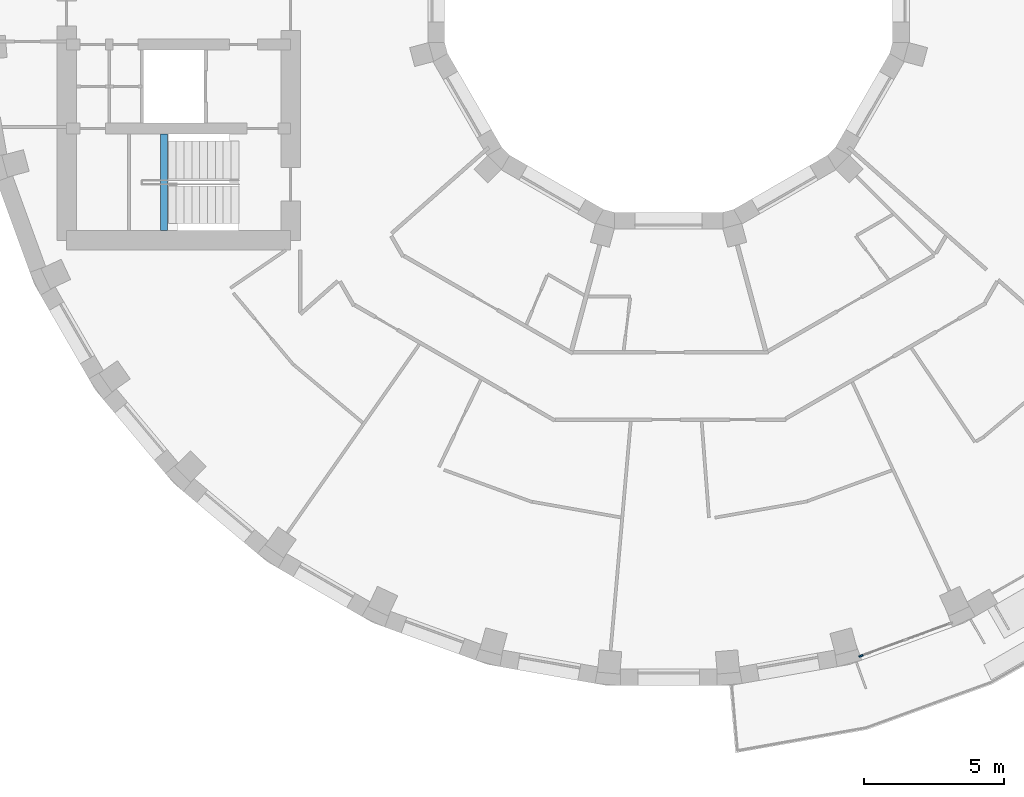
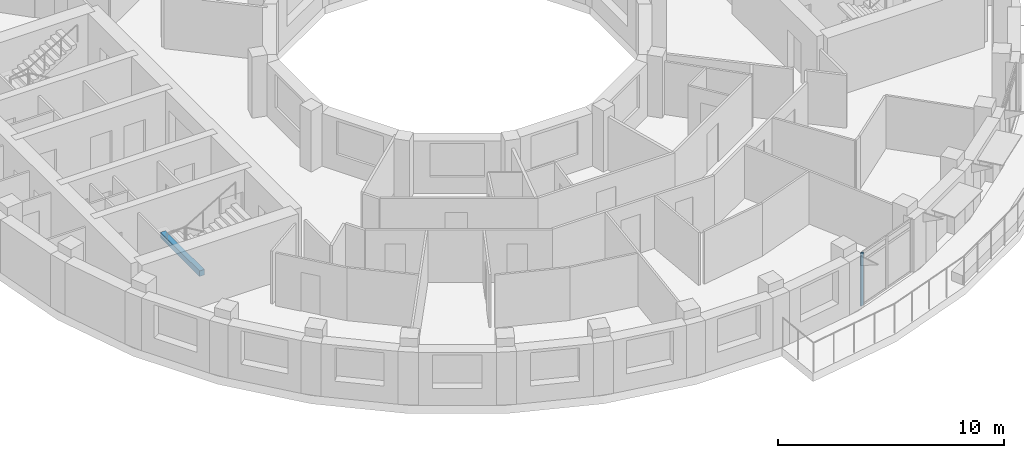
# One storey, part 2 of 15: 1 beam, 1 member, 1 element without a shape of its own.
"""IFC4 building model written with IfcOpenShell, lengths in metres."""

import ifcopenshell
import ifcopenshell.guid

model = None  # the IFC model being written
_history = None  # IfcOwnerHistory: only IFC2X3 demands one
_inside = {}  # id of a spatial element -> (the spatial element, [elements in it])
_under = {}  # id of a project, library or spatial element -> (it, [spatial elements below it])
_declared = {}  # id of a project -> (the project, [libraries it declares])
_typed = {}  # id of a type object -> (the type object, [elements of that type])
_made_of = {}  # id of a material, layer set ... -> (it, [elements and type objects made of it])


def new_model(schema):
    """Start an empty IFC model of exactly this schema.

    Asked for "IFC4X3", IfcOpenShell would pick the latest addendum, in which some entities
    have other attributes; the version numbers below select the first issue.
    IFC2X3 requires an IfcOwnerHistory on every rooted entity: one is made here for all.
    """
    global model, _history
    if schema == "IFC4X3":
        model = ifcopenshell.file(schema_version=(4, 3, 0, 0))
    else:
        model = ifcopenshell.file(schema=schema)
    _inside.clear()
    _under.clear()
    _declared.clear()
    _typed.clear()
    _made_of.clear()
    _history = None
    if model.schema == "IFC2X3":
        org = make("IfcOrganization", Name="unknown")
        user = make(
            "IfcPersonAndOrganization",
            ThePerson=make("IfcPerson", FamilyName="unknown"),
            TheOrganization=org,
        )
        app = make(
            "IfcApplication",
            ApplicationDeveloper=org,
            Version="unknown",
            ApplicationFullName="unknown",
            ApplicationIdentifier="unknown",
        )
        _history = make(
            "IfcOwnerHistory",
            OwningUser=user,
            OwningApplication=app,
            ChangeAction="ADDED",
            CreationDate=0,
        )
    return model


def make(cls, **values):
    """One entity of the class cls with the attributes given. An attribute that is None is left unset."""
    return model.create_entity(
        cls, **{name: value for name, value in values.items() if value is not None}
    )


def rooted(cls, **values):
    """An entity with a GlobalId (a new one), such as an element, a storey or a relation."""
    return make(cls, GlobalId=ifcopenshell.guid.new(), OwnerHistory=_history, **values)


def si_unit(unit_type, name, prefix=None):
    """IfcSIUnit, for example si_unit("LENGTHUNIT", "METRE", prefix="MILLI")."""
    return make("IfcSIUnit", UnitType=unit_type, Prefix=prefix, Name=name)


def assignment(units):
    """IfcUnitAssignment: the units of a project."""
    return None if units is None else make("IfcUnitAssignment", Units=units)


def point(xyz):
    """IfcCartesianPoint."""
    return None if xyz is None else make("IfcCartesianPoint", Coordinates=xyz)


def direction(xyz):
    """IfcDirection."""
    return None if xyz is None else make("IfcDirection", DirectionRatios=xyz)


def frame(location, z_axis=None, x_axis=None):
    """IfcAxis2Placement3D, a coordinate frame: its origin and axes. An axis left out is left unset."""
    return make(
        "IfcAxis2Placement3D",
        Location=point(location),
        Axis=direction(z_axis),
        RefDirection=direction(x_axis),
    )


def frame_2d(location, x_axis=None):
    """IfcAxis2Placement2D, a coordinate frame in the plane: its origin and x axis."""
    return make(
        "IfcAxis2Placement2D", Location=point(location), RefDirection=direction(x_axis)
    )


def origin():
    """The frame at (0, 0, 0) with its axes left unset."""
    return frame((0.0, 0.0, 0.0))


def origin_2d():
    """The frame at (0, 0) in the plane with its x axis left unset."""
    return frame_2d((0.0, 0.0))


def place(relative_to, where):
    """IfcLocalPlacement: puts the frame where relative to a parent placement (None: the world)."""
    return make(
        "IfcLocalPlacement", PlacementRelTo=relative_to, RelativePlacement=where
    )


def context(
    kind, dimensions, precision=None, world=None, true_north=None, identifier=None
):
    """IfcGeometricRepresentationContext, for example the 3D "Model" context."""
    return make(
        "IfcGeometricRepresentationContext",
        ContextIdentifier=identifier,
        ContextType=kind,
        CoordinateSpaceDimension=dimensions,
        Precision=precision,
        WorldCoordinateSystem=world,
        TrueNorth=true_north,
    )


def subcontext(parent, identifier, kind, view, scale=None):
    """IfcGeometricRepresentationSubContext, for example "Body" below "Model"."""
    return make(
        "IfcGeometricRepresentationSubContext",
        ContextIdentifier=identifier,
        ContextType=kind,
        ParentContext=parent,
        TargetScale=scale,
        TargetView=view,
    )


def project(units=None, contexts=None):
    """IfcProject with its units and contexts."""
    return rooted(
        "IfcProject",
        Name="project",
        RepresentationContexts=contexts,
        UnitsInContext=assignment(units),
    )


def spatial(cls, under=None, at=None, **own):
    """A site, building, storey or space (cls), placed at a placement, below another one or the project."""
    s = rooted(cls, ObjectPlacement=at, **own)
    if under is not None:
        _under.setdefault(under.id(), (under, []))[1].append(s)
    return s


def profile(cls, at=None, kind="AREA", **sizes):
    """A parametric profile (cls). Its sizes go by their IFC names, for example OverallWidth=200.0."""
    return make(cls, ProfileType=kind, Position=at, **sizes)


def rectangle(**sizes):
    """IfcRectangleProfileDef."""
    return profile("IfcRectangleProfileDef", **sizes)


def extrude(swept, where, along, depth):
    """IfcExtrudedAreaSolid: the profile swept, set in the frame where, extruded along a direction by depth."""
    return make(
        "IfcExtrudedAreaSolid",
        SweptArea=swept,
        Position=where,
        ExtrudedDirection=direction(along),
        Depth=depth,
    )


def shape(context_of_items, identifier, shape_type, items):
    """IfcShapeRepresentation: the items that make up one representation, for example the "Body"."""
    return make(
        "IfcShapeRepresentation",
        ContextOfItems=context_of_items,
        RepresentationIdentifier=identifier,
        RepresentationType=shape_type,
        Items=items,
    )


def material(Name=None, Category=None):
    """IfcMaterial."""
    return make("IfcMaterial", Name=Name, Category=Category)


def layer(
    of_material, thickness, ventilated=None, Name=None, Category=None, Priority=None
):
    """IfcMaterialLayer: one layer of a wall or slab, of a material (None: an air gap)."""
    return make(
        "IfcMaterialLayer",
        Material=of_material,
        LayerThickness=thickness,
        IsVentilated=ventilated,
        Name=Name,
        Category=Category,
        Priority=Priority,
    )


def layer_set(layers, Name=None):
    """IfcMaterialLayerSet."""
    return make("IfcMaterialLayerSet", MaterialLayers=layers, LayerSetName=Name)


def material_profile(
    of_material, cross_section, Name=None, Category=None, Priority=None
):
    """IfcMaterialProfile: a cross section and its material."""
    return make(
        "IfcMaterialProfile",
        Name=Name,
        Material=of_material,
        Profile=cross_section,
        Priority=Priority,
        Category=Category,
    )


def profile_set(profiles, Name=None, composite=None):
    """IfcMaterialProfileSet."""
    return make(
        "IfcMaterialProfileSet",
        Name=Name,
        MaterialProfiles=profiles,
        CompositeProfile=composite,
    )


def made_of(thing, what):
    """Note that an element or type object is made of a material, layer set ...; save() writes the relation."""
    if what is not None:
        _made_of.setdefault(what.id(), (what, []))[1].append(thing)
    return thing


def type_object(cls, material=None, **own):
    """A type object (cls), such as IfcWallType, which elements share."""
    return made_of(rooted(cls, **own), material)


def element(
    cls,
    number,
    at=None,
    inside=None,
    cuts=None,
    type_object=None,
    material=None,
    context=None,
    identifier="Body",
    shape_type=None,
    held_by="IfcProductDefinitionShape",
    body=None,
    shapes=None,
    **own,
):
    """One element of the class cls, such as IfcWall. Its Tag is "e" and its number.

    at: its placement. inside: the storey or other place that contains it. cuts: it is an
    opening in that element (IfcRelVoidsElement). A single representation is given by context,
    identifier, shape_type and body (its items); several are given by shapes. held_by: the class
    of the entity that holds the representations. save() writes the other relations.
    """
    e = rooted(cls, Tag="e%d" % number, ObjectPlacement=at, **own)
    if body is not None:
        shapes = [shape(context, identifier, shape_type, body)]
    if shapes is not None:
        e.Representation = make(held_by, Representations=shapes)
    if inside is not None:
        _inside.setdefault(inside.id(), (inside, []))[1].append(e)
    if cuts is not None:
        rooted(
            "IfcRelVoidsElement", RelatingBuildingElement=cuts, RelatedOpeningElement=e
        )
    if type_object is not None:
        _typed.setdefault(type_object.id(), (type_object, []))[1].append(e)
    return made_of(e, material)


def aggregate(whole, parts):
    """IfcRelAggregates: a whole, such as a stair, and the parts it consists of."""
    return rooted("IfcRelAggregates", RelatingObject=whole, RelatedObjects=parts)


def save(model, path):
    """Write the relations noted so far, then the file.

    IfcRelAggregates (storeys below a building ...), IfcRelContainedInSpatialStructure (elements
    in a storey), IfcRelDefinesByType, IfcRelAssociatesMaterial and IfcRelDeclares: one each for
    every whole, place, type object, material and project.
    """
    for whole, parts in _under.values():
        aggregate(whole, parts)
    for where, things in _inside.values():
        rooted(
            "IfcRelContainedInSpatialStructure",
            RelatedElements=things,
            RelatingStructure=where,
        )
    for kind, things in _typed.values():
        rooted("IfcRelDefinesByType", RelatedObjects=things, RelatingType=kind)
    for what, things in _made_of.values():
        rooted("IfcRelAssociatesMaterial", RelatedObjects=things, RelatingMaterial=what)
    for by, libraries in _declared.values():
        rooted("IfcRelDeclares", RelatingContext=by, RelatedDefinitions=libraries)
    model.write(path)


model = new_model("IFC4")

# Units and contexts
model_context = context("Model", 3, precision=1e-05, world=origin(), true_north=direction((0.0, 1.0)))
body_context = subcontext(model_context, "Body", "Model", "MODEL_VIEW")
ifc_project = project(units=[si_unit("LENGTHUNIT", "METRE"), si_unit("AREAUNIT", "SQUARE_METRE"), si_unit("VOLUMEUNIT", "CUBIC_METRE"), si_unit("PLANEANGLEUNIT", "RADIAN"), si_unit("MASSUNIT", "GRAM", prefix="KILO")], contexts=[model_context])

# Site, building, storey
site_placement = place(None, origin())
site = spatial("IfcSite", under=ifc_project, at=site_placement, CompositionType="ELEMENT")
building_placement = place(site_placement, origin())
building = spatial("IfcBuilding", under=site, at=building_placement, Name="Saqina Gate Tower", CompositionType="ELEMENT")
storey_placement = place(building_placement, frame((0.0, 0.0, 164.10009765625)))
storey = spatial("IfcBuildingStorey", under=building, at=storey_placement, Name="L46", CompositionType="ELEMENT", Elevation=164.10009765625)

# Curtain wall, member
ifc_material_1 = material(Name="Aluminium glazing", Category="aluminium")
ifc_layer = layer(ifc_material_1, 0.159912109375)
ifc_layer_set = layer_set([ifc_layer], Name="CWT-4")
curtain_wall_type = type_object("IfcCurtainWallType", Name="CWT-4", PredefinedType="NOTDEFINED", material=ifc_layer_set)
curtain_wall_placement = place(storey_placement, origin())
curtain_wall = element("IfcCurtainWall", 1, at=curtain_wall_placement, inside=storey, type_object=curtain_wall_type, Name="Terrace lounge glazing facet 29", PredefinedType="NOTDEFINED")
ifc_material_2 = material(Name="Aluminium", Category="aluminium")
ifc_material_profile_1 = material_profile(ifc_material_2, rectangle(XDim=0.06005859375, YDim=0.159912109375, at=origin_2d()), Name="Aluminium 60x160")
ifc_profile_set_1 = profile_set([ifc_material_profile_1], Name="Aluminium")
member_type = type_object("IfcMemberType", Name="CWT-4M", PredefinedType="MULLION", material=ifc_profile_set_1)
member_placement = place(storey_placement, frame((6.8740234375, -23.841552734375, 0.0), z_axis=(0.0, 0.0, 1.0), x_axis=(-0.342024671777, 0.939690972552, 0.0)))
member = element("IfcMember", 2, at=member_placement, type_object=member_type, Name="CW4-29 mullion 1", PredefinedType="MULLION", context=body_context, shape_type="SweptSolid", body=[
    extrude(rectangle(XDim=0.06005859375, YDim=0.159912109375, at=origin_2d()), origin(), (0.0, 0.0, 1.0), 2.849853515625),
])
aggregate(curtain_wall, [member])

# Beam
ifc_material_3 = material(Name="Concrete C40/50", Category="concrete")
ifc_material_profile_2 = material_profile(ifc_material_3, rectangle(XDim=0.25, YDim=0.300048828125, at=origin_2d()), Name="STAIR LANDING BEAM")
ifc_profile_set_2 = profile_set([ifc_material_profile_2], Name="Concrete C40/50")
beam_type = type_object("IfcBeamType", Name="STAIR LANDING BEAM", PredefinedType="BEAM", material=ifc_profile_set_2)
beam_placement = place(storey_placement, frame((-18.02001953125, -8.64990234375, 1.25), z_axis=(0.0, 1.0, 0.0), x_axis=(-1.0, 0.0, 0.0)))
element("IfcBeam", 3, at=beam_placement, inside=storey, type_object=beam_type, Name="EXIT STAIR 4 LANDING BEAM", PredefinedType="BEAM", context=body_context, shape_type="SweptSolid", body=[
    extrude(rectangle(XDim=0.25, YDim=0.300048828125, at=origin_2d()), origin(), (0.0, 0.0, 1.0), 3.449951171875),
])

save(model, "model.ifc")
